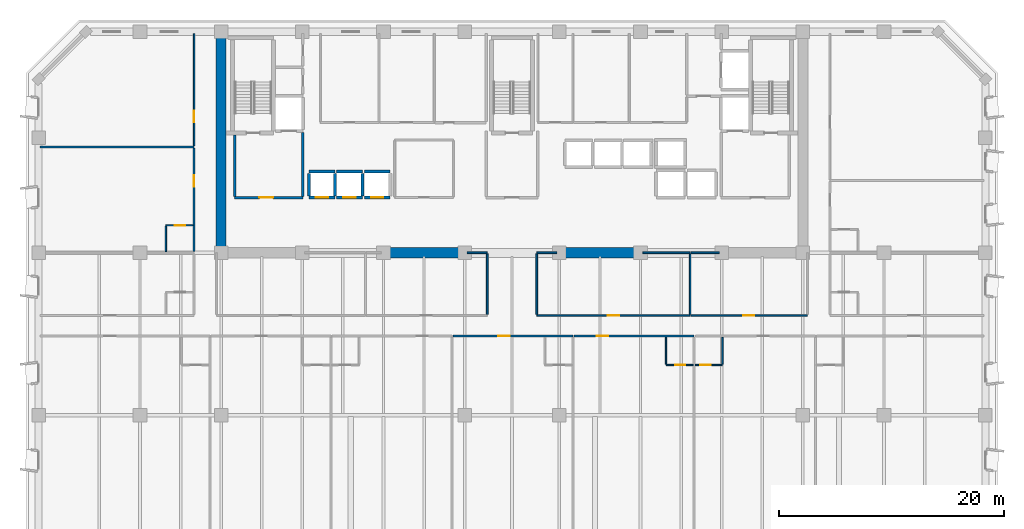
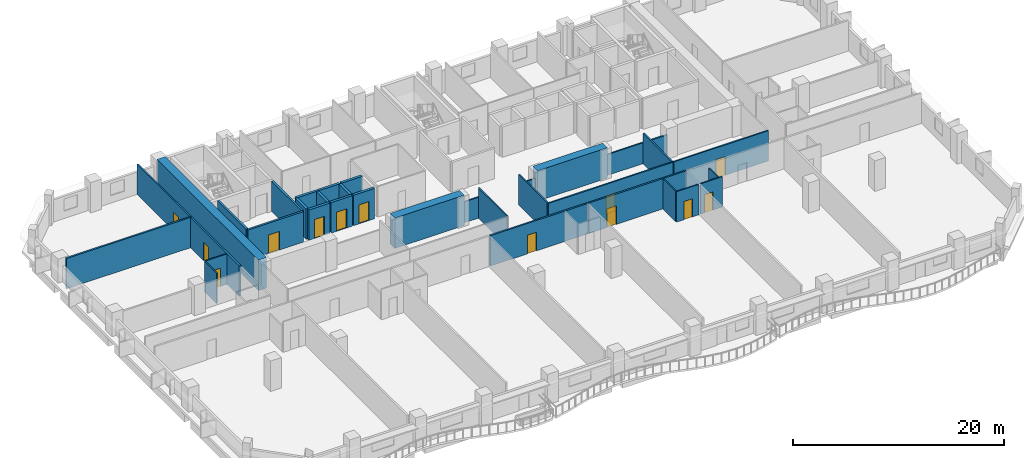
# One storey, part 6 of 15: 35 walls, 13 doors, 13 openings.
"""IFC4 building model written with IfcOpenShell, lengths in metres."""

from ifc_helpers import new_model, si_unit, direction, frame, frame_2d, origin, place, context, subcontext, project, spatial, rectangle, extrude, material, layer, layer_set, type_object, element, fill, save


model = new_model("IFC4")

# Units and contexts
model_context = context("Model", 3, precision=1e-05, world=origin(), true_north=direction((0.0, 1.0)))
body_context = subcontext(model_context, "Body", "Model", "MODEL_VIEW")
ifc_project = project(units=[si_unit("LENGTHUNIT", "METRE"), si_unit("AREAUNIT", "SQUARE_METRE"), si_unit("VOLUMEUNIT", "CUBIC_METRE"), si_unit("PLANEANGLEUNIT", "RADIAN"), si_unit("MASSUNIT", "GRAM", prefix="KILO")], contexts=[model_context])

# Site, building, storey
site_placement = place(None, origin())
site = spatial("IfcSite", under=ifc_project, at=site_placement, CompositionType="ELEMENT")
building_placement = place(site_placement, origin())
building = spatial("IfcBuilding", under=site, at=building_placement, Name="Kaelvorn Grand Hotel", CompositionType="ELEMENT")
storey_placement = place(building_placement, frame((0.0, 0.0, 96.800048828125)))
storey = spatial("IfcBuildingStorey", under=building, at=storey_placement, Name="L22", CompositionType="ELEMENT", Elevation=96.800048828125)

# Walls
ifc_material_1 = material(Name="Concrete C60/75", Category="concrete")
ifc_layer_1 = layer(ifc_material_1, 0.89990234375)
ifc_layer_set_1 = layer_set([ifc_layer_1], Name="Concrete C60/75")
wall_type_1 = type_object("IfcWallType", Name="WL-CORE-900-C60", PredefinedType="SHEAR", material=ifc_layer_set_1)
wall_1_placement = place(storey_placement, frame((16.199951171875, 29.39990234375, 0.0), z_axis=(0.0, 0.0, 1.0), x_axis=(0.0, 1.0, 0.0)))
element("IfcWall", 1, at=wall_1_placement, inside=storey, type_object=wall_type_1, Name="L22 Rear-Core West Shear Wall", PredefinedType="SHEAR", context=body_context, shape_type="SweptSolid", body=[
    extrude(rectangle(XDim=19.2001953125, YDim=0.89990234375, at=frame_2d((9.60009765625, 0.0))), origin(), (0.0, 0.0, 1.0), 3.510009765625),
])
for number, where, z_axis, x_axis, name in (
    (2, (30.39990234375, 29.39990234375, 0.0), (0.0, 0.0, 1.0), (1.0, 0.0, 0.0), "L22 Rear-Core Coupled Shear Pier S2"),
    (3, (46.0, 29.39990234375, 0.0), (0.0, 0.0, 1.0), (1.0, 0.0, 0.0), "L22 Rear-Core Coupled Shear Pier S3"),
):
    element("IfcWall", number, at=place(storey_placement, frame(where, z_axis=z_axis, x_axis=x_axis)), inside=storey, type_object=wall_type_1, Name=name, PredefinedType="SHEAR", context=body_context, shape_type="SweptSolid", body=[
        extrude(rectangle(XDim=7.60009765625, YDim=0.89990234375, at=frame_2d((3.800048828125, 0.0))), origin(), (0.0, 0.0, 1.0), 3.510009765625),
    ])

# Wall, opening, door
ifc_material_2 = material(Name="Moisture-Resistant Tile & Stud Board")
ifc_layer_2 = layer(ifc_material_2, 0.125)
ifc_layer_set_2 = layer_set([ifc_layer_2], Name="Moisture-Resistant Tile & Stud Board")
wall_type_2 = type_object("IfcWallType", Name="WL-PART-125-WET", PredefinedType="PARTITIONING", material=ifc_layer_set_2)
wall_2_placement = place(storey_placement, frame((55.66455078125, 19.449951171875, 0.0), z_axis=(0.0, 0.0, 1.0), x_axis=(1.0, 0.0, 0.0)))
wall_2 = element("IfcWall", 4, at=wall_2_placement, inside=storey, type_object=wall_type_2, Name="L22 En-suite Bathroom L22-05 S Partition", PredefinedType="PARTITIONING", context=body_context, shape_type="SweptSolid", body=[
    extrude(rectangle(XDim=2.405029296875, YDim=0.125, at=frame_2d((1.20263671875, 0.0))), origin(), (0.0, 0.0, 1.0), 3.510009765625),
])
opening_1_placement = place(wall_2_placement, frame((0.800048828125, 0.0, 0.0)))
opening_1 = element("IfcOpeningElement", 5, at=opening_1_placement, cuts=wall_2, Name="Opening DI4", PredefinedType="OPENING", context=body_context, shape_type="SweptSolid", body=[
    extrude(rectangle(XDim=0.89990234375, YDim=2.10009765625, at=frame_2d((0.449951171875, 1.050048828125))), frame((0.0, 0.072509765625, 0.0), z_axis=(0.0, -1.0, 0.0), x_axis=(1.0, 0.0, 0.0)), (0.0, 0.0, 1.0), 0.14501953125),
])
ifc_material_3 = material(Name="Timber Veneer Leaf", Category="wood")
door_type_1 = type_object("IfcDoorType", Name="DR-INT-BATH-900x2100", OperationType="NOTDEFINED", PredefinedType="DOOR", material=ifc_material_3)
door_1_placement = place(opening_1_placement, origin())
door_1 = element("IfcDoor", 6, at=door_1_placement, inside=storey, type_object=door_type_1, Name="L22 En-suite Bathroom L22-05 Door", OperationType="SINGLE_SWING_LEFT", OverallHeight=2.10009765625, OverallWidth=0.89990234375, PredefinedType="DOOR", context=body_context, shape_type="SweptSolid", body=[
    extrude(rectangle(XDim=0.89990234375, YDim=2.10009765625, at=frame_2d((0.449951171875, 1.050048828125))), frame((0.0, 0.02490234375, 0.0), z_axis=(0.0, -1.0, 0.0), x_axis=(1.0, 0.0, 0.0)), (0.0, 0.0, 1.0), 0.050048828125),
])
fill(opening_1, door_1)

# Wall
wall_3_placement = place(storey_placement, frame((55.66455078125, 19.517578125, 0.0), z_axis=(0.0, 0.0, 1.0), x_axis=(0.0, 1.0, 0.0)))
element("IfcWall", 7, at=wall_3_placement, inside=storey, type_object=wall_type_2, Name="L22 En-suite Bathroom L22-05 W Partition", PredefinedType="PARTITIONING", context=body_context, shape_type="SweptSolid", body=[
    extrude(rectangle(XDim=2.387451171875, YDim=0.125, at=frame_2d((1.19384765625, 0.0))), origin(), (0.0, 0.0, 1.0), 3.510009765625),
])

# Wall, opening, door
wall_4_placement = place(storey_placement, frame((58.259521484375, 19.449951171875, 0.0), z_axis=(0.0, 0.0, 1.0), x_axis=(1.0, 0.0, 0.0)))
wall_4 = element("IfcWall", 8, at=wall_4_placement, inside=storey, type_object=wall_type_2, Name="L22 En-suite Bathroom L22-06 S Partition", PredefinedType="PARTITIONING", context=body_context, shape_type="SweptSolid", body=[
    extrude(rectangle(XDim=2.405029296875, YDim=0.125, at=frame_2d((1.20263671875, 0.0))), origin(), (0.0, 0.0, 1.0), 3.510009765625),
])
opening_2_placement = place(wall_4_placement, frame((0.455078125, 0.0, 0.0)))
opening_2 = element("IfcOpeningElement", 9, at=opening_2_placement, cuts=wall_4, Name="Opening DI4", PredefinedType="OPENING", context=body_context, shape_type="SweptSolid", body=[
    extrude(rectangle(XDim=0.89990234375, YDim=2.10009765625, at=frame_2d((0.449951171875, 1.050048828125))), frame((0.0, 0.072509765625, 0.0), z_axis=(0.0, -1.0, 0.0), x_axis=(1.0, 0.0, 0.0)), (0.0, 0.0, 1.0), 0.14501953125),
])
door_2_placement = place(opening_2_placement, origin())
door_2 = element("IfcDoor", 10, at=door_2_placement, inside=storey, type_object=door_type_1, Name="L22 En-suite Bathroom L22-06 Door", OperationType="SINGLE_SWING_LEFT", OverallHeight=2.10009765625, OverallWidth=0.89990234375, PredefinedType="DOOR", context=body_context, shape_type="SweptSolid", body=[
    extrude(rectangle(XDim=0.89990234375, YDim=2.10009765625, at=frame_2d((0.449951171875, 1.050048828125))), frame((0.0, 0.02490234375, 0.0), z_axis=(0.0, -1.0, 0.0), x_axis=(1.0, 0.0, 0.0)), (0.0, 0.0, 1.0), 0.050048828125),
])
fill(opening_2, door_2)

# Wall
wall_5_placement = place(storey_placement, frame((60.66455078125, 19.517578125, 0.0), z_axis=(0.0, 0.0, 1.0), x_axis=(0.0, 1.0, 0.0)))
element("IfcWall", 11, at=wall_5_placement, inside=storey, type_object=wall_type_2, Name="L22 En-suite Bathroom L22-06 E Partition", PredefinedType="PARTITIONING", context=body_context, shape_type="SweptSolid", body=[
    extrude(rectangle(XDim=2.387451171875, YDim=0.125, at=frame_2d((1.19384765625, 0.0))), origin(), (0.0, 0.0, 1.0), 2.976806640625),
])

# Wall, opening, door
wall_6_placement = place(storey_placement, frame((11.300048828125, 31.840087890625, 0.0), z_axis=(0.0, 0.0, 1.0), x_axis=(1.0, 0.0, 0.0)))
wall_6 = element("IfcWall", 12, at=wall_6_placement, inside=storey, type_object=wall_type_2, Name="L22 En-suite Bathroom L22-10 N Partition", PredefinedType="PARTITIONING", context=body_context, shape_type="SweptSolid", body=[
    extrude(rectangle(XDim=2.405029296875, YDim=0.125, at=frame_2d((1.20263671875, 0.0))), origin(), (0.0, 0.0, 1.0), 3.510009765625),
])
opening_3_placement = place(wall_6_placement, frame((0.800048828125, 0.0, 0.0)))
opening_3 = element("IfcOpeningElement", 13, at=opening_3_placement, cuts=wall_6, Name="Opening DI4", PredefinedType="OPENING", context=body_context, shape_type="SweptSolid", body=[
    extrude(rectangle(XDim=0.89990234375, YDim=2.10009765625, at=frame_2d((0.449951171875, 1.050048828125))), frame((0.0, 0.072509765625, 0.0), z_axis=(0.0, -1.0, 0.0), x_axis=(1.0, 0.0, 0.0)), (0.0, 0.0, 1.0), 0.14501953125),
])
door_3_placement = place(opening_3_placement, origin())
door_3 = element("IfcDoor", 14, at=door_3_placement, inside=storey, type_object=door_type_1, Name="L22 En-suite Bathroom L22-10 Door", OperationType="SINGLE_SWING_LEFT", OverallHeight=2.10009765625, OverallWidth=0.89990234375, PredefinedType="DOOR", context=body_context, shape_type="SweptSolid", body=[
    extrude(rectangle(XDim=0.89990234375, YDim=2.10009765625, at=frame_2d((0.449951171875, 1.050048828125))), frame((0.0, 0.02490234375, 0.0), z_axis=(0.0, -1.0, 0.0), x_axis=(1.0, 0.0, 0.0)), (0.0, 0.0, 1.0), 0.050048828125),
])
fill(opening_3, door_3)

# Walls
wall_7_placement = place(storey_placement, frame((11.300048828125, 29.4951171875, 0.0), z_axis=(0.0, 0.0, 1.0), x_axis=(0.0, 1.0, 0.0)))
element("IfcWall", 15, at=wall_7_placement, inside=storey, type_object=wall_type_2, Name="L22 En-suite Bathroom L22-10 W Partition", PredefinedType="PARTITIONING", context=body_context, shape_type="SweptSolid", body=[
    extrude(rectangle(XDim=2.27734375, YDim=0.125, at=frame_2d((1.138671875, 0.0))), origin(), (0.0, 0.0, 1.0), 3.510009765625),
])
ifc_material_4 = material(Name="Acoustic Gypsum & Stud Partition")
ifc_layer_3 = layer(ifc_material_4, 0.14990234375)
ifc_layer_set_3 = layer_set([ifc_layer_3], Name="Acoustic Gypsum & Stud Partition")
wall_type_3 = type_object("IfcWallType", Name="WL-PART-150-EI60", PredefinedType="PARTITIONING", material=ifc_layer_set_3)
wall_8_placement = place(storey_placement, frame((38.010009765625, 29.39990234375, 0.0), z_axis=(0.0, 0.0, 1.0), x_axis=(1.0, 0.0, 0.0)))
element("IfcWall", 16, at=wall_8_placement, inside=storey, type_object=wall_type_3, Name="L22 Private Chef Kitchen N Partition (2)", PredefinedType="PARTITIONING", context=body_context, shape_type="SweptSolid", body=[
    extrude(rectangle(XDim=1.7900390625, YDim=0.14990234375, at=frame_2d((0.89501953125, 0.0))), origin(), (0.0, 0.0, 1.0), 2.409912109375),
])
wall_9_placement = place(storey_placement, frame((39.800048828125, 23.929931640625, 0.0), z_axis=(0.0, 0.0, 1.0), x_axis=(0.0, 1.0, 0.0)))
element("IfcWall", 17, at=wall_9_placement, inside=storey, type_object=wall_type_3, Name="L22 Private Chef Kitchen E Partition", PredefinedType="PARTITIONING", context=body_context, shape_type="SweptSolid", body=[
    extrude(rectangle(XDim=5.39013671875, YDim=0.14990234375, at=frame_2d((2.695068359375, 0.0))), origin(), (0.0, 0.0, 1.0), 3.510009765625),
])

# Wall, opening, door
wall_10_placement = place(storey_placement, frame((44.199951171875, 23.85009765625, 0.0), z_axis=(0.0, 0.0, 1.0), x_axis=(1.0, 0.0, 0.0)))
wall_10 = element("IfcWall", 18, at=wall_10_placement, inside=storey, type_object=wall_type_3, Name="L22 Summit Conference Room S Partition", PredefinedType="PARTITIONING", context=body_context, shape_type="SweptSolid", body=[
    extrude(rectangle(XDim=13.60009765625, YDim=0.14990234375, at=frame_2d((6.800048828125, 0.0))), origin(), (0.0, 0.0, 1.0), 3.510009765625),
])
opening_4_placement = place(wall_10_placement, frame((6.300048828125, 0.0, 0.0)))
opening_4 = element("IfcOpeningElement", 19, at=opening_4_placement, cuts=wall_10, Name="Opening DI3", PredefinedType="OPENING", context=body_context, shape_type="SweptSolid", body=[
    extrude(rectangle(XDim=1.0, YDim=2.14990234375, at=frame_2d((0.5, 1.074951171875))), frame((0.0, 0.0849609375, 0.0), z_axis=(0.0, -1.0, 0.0), x_axis=(1.0, 0.0, 0.0)), (0.0, 0.0, 1.0), 0.169921875),
])
ifc_material_5 = material(Name="Timber Veneer Fire Leaf", Category="wood")
door_type_2 = type_object("IfcDoorType", Name="DR-INT-GUEST-1000x2150", OperationType="NOTDEFINED", PredefinedType="DOOR", material=ifc_material_5)
door_4_placement = place(opening_4_placement, origin())
door_4 = element("IfcDoor", 20, at=door_4_placement, inside=storey, type_object=door_type_2, Name="L22 Summit Conference Room Door", OperationType="SINGLE_SWING_RIGHT", OverallHeight=2.14990234375, OverallWidth=1.0, PredefinedType="DOOR", context=body_context, shape_type="SweptSolid", body=[
    extrude(rectangle(XDim=1.0, YDim=2.14990234375, at=frame_2d((0.5, 1.074951171875))), frame((0.0, 0.02490234375, 0.0), z_axis=(0.0, -1.0, 0.0), x_axis=(1.0, 0.0, 0.0)), (0.0, 0.0, 1.0), 0.050048828125),
])
fill(opening_4, door_4)

# Walls
wall_11_placement = place(storey_placement, frame((44.199951171875, 29.39990234375, 0.0), z_axis=(0.0, 0.0, 1.0), x_axis=(1.0, 0.0, 0.0)))
element("IfcWall", 21, at=wall_11_placement, inside=storey, type_object=wall_type_3, Name="L22 Summit Conference Room N Partition (1)", PredefinedType="PARTITIONING", context=body_context, shape_type="SweptSolid", body=[
    extrude(rectangle(XDim=1.7900390625, YDim=0.14990234375, at=frame_2d((0.89501953125, 0.0))), origin(), (0.0, 0.0, 1.0), 2.409912109375),
])
wall_12_placement = place(storey_placement, frame((53.610107421875, 29.39990234375, 0.0), z_axis=(0.0, 0.0, 1.0), x_axis=(1.0, 0.0, 0.0)))
element("IfcWall", 22, at=wall_12_placement, inside=storey, type_object=wall_type_3, Name="L22 Summit Conference Room N Partition (2)", PredefinedType="PARTITIONING", context=body_context, shape_type="SweptSolid", body=[
    extrude(rectangle(XDim=4.18994140625, YDim=0.14990234375, at=frame_2d((2.094970703125, 0.0))), origin(), (0.0, 0.0, 1.0), 2.409912109375),
])
for number, where, z_axis, x_axis, name in (
    (23, (44.199951171875, 23.929931640625, 0.0), (0.0, 0.0, 1.0), (0.0, 1.0, 0.0), "L22 Summit Conference Room W Partition"),
    (24, (57.800048828125, 23.929931640625, 0.0), (0.0, 0.0, 1.0), (0.0, 1.0, 0.0), "L22 Summit Conference Room E Partition"),
):
    element("IfcWall", number, at=place(storey_placement, frame(where, z_axis=z_axis, x_axis=x_axis)), inside=storey, type_object=wall_type_3, Name=name, PredefinedType="PARTITIONING", context=body_context, shape_type="SweptSolid", body=[
        extrude(rectangle(XDim=5.39013671875, YDim=0.14990234375, at=frame_2d((2.695068359375, 0.0))), origin(), (0.0, 0.0, 1.0), 3.510009765625),
    ])

# Wall, opening, door
wall_13_placement = place(storey_placement, frame((57.8798828125, 23.85009765625, 0.0), z_axis=(0.0, 0.0, 1.0), x_axis=(1.0, 0.0, 0.0)))
wall_13 = element("IfcWall", 25, at=wall_13_placement, inside=storey, type_object=wall_type_3, Name="L22 Executive Law Office S Partition", PredefinedType="PARTITIONING", context=body_context, shape_type="SweptSolid", body=[
    extrude(rectangle(XDim=10.320068359375, YDim=0.14990234375, at=frame_2d((5.16015625, 0.0))), origin(), (0.0, 0.0, 1.0), 3.510009765625),
])
opening_5_placement = place(wall_13_placement, frame((4.6201171875, 0.0, 0.0)))
opening_5 = element("IfcOpeningElement", 26, at=opening_5_placement, cuts=wall_13, Name="Opening DI3", PredefinedType="OPENING", context=body_context, shape_type="SweptSolid", body=[
    extrude(rectangle(XDim=1.0, YDim=2.14990234375, at=frame_2d((0.5, 1.074951171875))), frame((0.0, 0.0849609375, 0.0), z_axis=(0.0, -1.0, 0.0), x_axis=(1.0, 0.0, 0.0)), (0.0, 0.0, 1.0), 0.169921875),
])
door_5_placement = place(opening_5_placement, origin())
door_5 = element("IfcDoor", 27, at=door_5_placement, inside=storey, type_object=door_type_2, Name="L22 Executive Law Office Door", OperationType="SINGLE_SWING_LEFT", OverallHeight=2.14990234375, OverallWidth=1.0, PredefinedType="DOOR", context=body_context, shape_type="SweptSolid", body=[
    extrude(rectangle(XDim=1.0, YDim=2.14990234375, at=frame_2d((0.5, 1.074951171875))), frame((0.0, 0.02490234375, 0.0), z_axis=(0.0, -1.0, 0.0), x_axis=(1.0, 0.0, 0.0)), (0.0, 0.0, 1.0), 0.050048828125),
])
fill(opening_5, door_5)

# Wall
wall_14_placement = place(storey_placement, frame((57.8798828125, 29.39990234375, 0.0), z_axis=(0.0, 0.0, 1.0), x_axis=(1.0, 0.0, 0.0)))
element("IfcWall", 28, at=wall_14_placement, inside=storey, type_object=wall_type_3, Name="L22 Executive Law Office N Partition", PredefinedType="PARTITIONING", context=body_context, shape_type="SweptSolid", body=[
    extrude(rectangle(XDim=2.510009765625, YDim=0.14990234375, at=frame_2d((1.2548828125, 0.0))), origin(), (0.0, 0.0, 1.0), 2.409912109375),
])

# Wall, opening, door
wall_15_placement = place(storey_placement, frame((13.800048828125, 38.89501953125, 0.0), z_axis=(0.0, 0.0, 1.0), x_axis=(0.0, 1.0, 0.0)))
wall_15 = element("IfcWall", 29, at=wall_15_placement, inside=storey, type_object=wall_type_3, Name="L22 North-West Executive Law Office E Partition", PredefinedType="PARTITIONING", context=body_context, shape_type="SweptSolid", body=[
    extrude(rectangle(XDim=9.955078125, YDim=0.14990234375, at=frame_2d((4.9775390625, 0.0))), origin(), (0.0, 0.0, 1.0), 3.510009765625),
])
opening_6_placement = place(wall_15_placement, frame((2.10498046875, 0.0, 0.0)))
opening_6 = element("IfcOpeningElement", 30, at=opening_6_placement, cuts=wall_15, Name="Opening DI3", PredefinedType="OPENING", context=body_context, shape_type="SweptSolid", body=[
    extrude(rectangle(XDim=1.0, YDim=2.14990234375, at=frame_2d((0.5, 1.074951171875))), frame((0.0, 0.0849609375, 0.0), z_axis=(0.0, -1.0, 0.0), x_axis=(1.0, 0.0, 0.0)), (0.0, 0.0, 1.0), 0.169921875),
])
door_6_placement = place(opening_6_placement, origin())
door_6 = element("IfcDoor", 31, at=door_6_placement, inside=storey, type_object=door_type_2, Name="L22 North-West Executive Law Office Door", OperationType="SINGLE_SWING_RIGHT", OverallHeight=2.14990234375, OverallWidth=1.0, PredefinedType="DOOR", context=body_context, shape_type="SweptSolid", body=[
    extrude(rectangle(XDim=1.0, YDim=2.14990234375, at=frame_2d((0.5, 1.074951171875))), frame((0.0, 0.02490234375, 0.0), z_axis=(0.0, -1.0, 0.0), x_axis=(1.0, 0.0, 0.0)), (0.0, 0.0, 1.0), 0.050048828125),
])
fill(opening_6, door_6)

ifc_layer_4 = layer(ifc_material_4, 0.179931640625)
ifc_layer_set_4 = layer_set([ifc_layer_4], Name="Acoustic Gypsum & Stud Partition")
wall_type_4 = type_object("IfcWallType", Name="WL-PART-180-EI60", PredefinedType="PARTITIONING", material=ifc_layer_set_4)
wall_16_placement = place(storey_placement, frame((36.773681640625, 22.0, 0.0), z_axis=(0.0, 0.0, 1.0), x_axis=(1.0, 0.0, 0.0)))
wall_16 = element("IfcWall", 32, at=wall_16_placement, inside=storey, type_object=wall_type_4, Name="L22 Deluxe Panoramic Suite L22-04 N Partition", PredefinedType="PARTITIONING", context=body_context, shape_type="SweptSolid", body=[
    extrude(rectangle(XDim=10.64794921875, YDim=0.179931640625, at=frame_2d((5.323974609375, 0.0))), origin(), (0.0, 0.0, 1.0), 3.510009765625),
])
opening_7_placement = place(wall_16_placement, frame((4.027099609375, 0.0, 0.0)))
opening_7 = element("IfcOpeningElement", 33, at=opening_7_placement, cuts=wall_16, Name="Opening DI3", PredefinedType="OPENING", context=body_context, shape_type="SweptSolid", body=[
    extrude(rectangle(XDim=1.0, YDim=2.14990234375, at=frame_2d((0.5, 1.074951171875))), frame((0.0, 0.10009765625, 0.0), z_axis=(0.0, -1.0, 0.0), x_axis=(1.0, 0.0, 0.0)), (0.0, 0.0, 1.0), 0.199951171875),
])
door_7_placement = place(opening_7_placement, origin())
door_7 = element("IfcDoor", 34, at=door_7_placement, inside=storey, type_object=door_type_2, Name="L22 Deluxe Panoramic Suite L22-04 Door", OperationType="SINGLE_SWING_RIGHT", OverallHeight=2.14990234375, OverallWidth=1.0, PredefinedType="DOOR", context=body_context, shape_type="SweptSolid", body=[
    extrude(rectangle(XDim=1.0, YDim=2.14990234375, at=frame_2d((0.5, 1.074951171875))), frame((0.0, 0.02490234375, 0.0), z_axis=(0.0, -1.0, 0.0), x_axis=(1.0, 0.0, 0.0)), (0.0, 0.0, 1.0), 0.050048828125),
])
fill(opening_7, door_7)

wall_17_placement = place(storey_placement, frame((47.5166015625, 22.0, 0.0), z_axis=(0.0, 0.0, 1.0), x_axis=(1.0, 0.0, 0.0)))
wall_17 = element("IfcWall", 35, at=wall_17_placement, inside=storey, type_object=wall_type_4, Name="L22 Deluxe Panoramic Suite L22-05 N Partition", PredefinedType="PARTITIONING", context=body_context, shape_type="SweptSolid", body=[
    extrude(rectangle(XDim=10.64794921875, YDim=0.179931640625, at=frame_2d((5.323974609375, 0.0))), origin(), (0.0, 0.0, 1.0), 3.510009765625),
])
opening_8_placement = place(wall_17_placement, frame((2.004150390625, 0.0, 0.0)))
opening_8 = element("IfcOpeningElement", 36, at=opening_8_placement, cuts=wall_17, Name="Opening DI3", PredefinedType="OPENING", context=body_context, shape_type="SweptSolid", body=[
    extrude(rectangle(XDim=1.0, YDim=2.14990234375, at=frame_2d((0.5, 1.074951171875))), frame((0.0, 0.10009765625, 0.0), z_axis=(0.0, -1.0, 0.0), x_axis=(1.0, 0.0, 0.0)), (0.0, 0.0, 1.0), 0.199951171875),
])
door_8_placement = place(opening_8_placement, origin())
door_8 = element("IfcDoor", 37, at=door_8_placement, inside=storey, type_object=door_type_2, Name="L22 Deluxe Panoramic Suite L22-05 Door", OperationType="SINGLE_SWING_RIGHT", OverallHeight=2.14990234375, OverallWidth=1.0, PredefinedType="DOOR", context=body_context, shape_type="SweptSolid", body=[
    extrude(rectangle(XDim=1.0, YDim=2.14990234375, at=frame_2d((0.5, 1.074951171875))), frame((0.0, 0.02490234375, 0.0), z_axis=(0.0, -1.0, 0.0), x_axis=(1.0, 0.0, 0.0)), (0.0, 0.0, 1.0), 0.050048828125),
])
fill(opening_8, door_8)

# Wall
wall_18_placement = place(storey_placement, frame((0.14990234375, 38.800048828125, 0.0), z_axis=(0.0, 0.0, 1.0), x_axis=(1.0, 0.0, 0.0)))
element("IfcWall", 38, at=wall_18_placement, inside=storey, type_object=wall_type_4, Name="L22 North-West Wing Suite L22-10 N Partition", PredefinedType="PARTITIONING", context=body_context, shape_type="SweptSolid", body=[
    extrude(rectangle(XDim=13.650146484375, YDim=0.179931640625, at=frame_2d((6.8251953125, 0.0))), origin(), (0.0, 0.0, 1.0), 3.510009765625),
])

# Wall, opening, door
wall_19_placement = place(storey_placement, frame((13.800048828125, 29.4951171875, 0.0), z_axis=(0.0, 0.0, 1.0), x_axis=(0.0, 1.0, 0.0)))
wall_19 = element("IfcWall", 39, at=wall_19_placement, inside=storey, type_object=wall_type_4, Name="L22 North-West Wing Suite L22-10 E Partition", PredefinedType="PARTITIONING", context=body_context, shape_type="SweptSolid", body=[
    extrude(rectangle(XDim=9.2099609375, YDim=0.179931640625, at=frame_2d((4.60498046875, 0.0))), origin(), (0.0, 0.0, 1.0), 3.510009765625),
])
opening_9_placement = place(wall_19_placement, frame((5.77490234375, 0.0, 0.0)))
opening_9 = element("IfcOpeningElement", 40, at=opening_9_placement, cuts=wall_19, Name="Opening DI3", PredefinedType="OPENING", context=body_context, shape_type="SweptSolid", body=[
    extrude(rectangle(XDim=1.0, YDim=2.14990234375, at=frame_2d((0.5, 1.074951171875))), frame((0.0, 0.10009765625, 0.0), z_axis=(0.0, -1.0, 0.0), x_axis=(1.0, 0.0, 0.0)), (0.0, 0.0, 1.0), 0.199951171875),
])
door_9_placement = place(opening_9_placement, origin())
door_9 = element("IfcDoor", 41, at=door_9_placement, inside=storey, type_object=door_type_2, Name="L22 North-West Wing Suite L22-10 Door", OperationType="SINGLE_SWING_RIGHT", OverallHeight=2.14990234375, OverallWidth=1.0, PredefinedType="DOOR", context=body_context, shape_type="SweptSolid", body=[
    extrude(rectangle(XDim=1.0, YDim=2.14990234375, at=frame_2d((0.5, 1.074951171875))), frame((0.0, 0.02490234375, 0.0), z_axis=(0.0, -1.0, 0.0), x_axis=(1.0, 0.0, 0.0)), (0.0, 0.0, 1.0), 0.050048828125),
])
fill(opening_9, door_9)

ifc_material_6 = material(Name="Concrete C40/50", Category="concrete")
ifc_layer_5 = layer(ifc_material_6, 0.219970703125)
ifc_layer_set_5 = layer_set([ifc_layer_5], Name="Concrete C40/50")
wall_type_5 = type_object("IfcWallType", Name="WL-PART-220-EI120", PredefinedType="PARTITIONING", material=ifc_layer_set_5)
wall_20_placement = place(storey_placement, frame((17.39990234375, 34.300048828125, 0.0), z_axis=(0.0, 0.0, 1.0), x_axis=(1.0, 0.0, 0.0)))
wall_20 = element("IfcWall", 42, at=wall_20_placement, inside=storey, type_object=wall_type_5, Name="L22 Firefighting Lift Lobby 1 S Partition", PredefinedType="PARTITIONING", context=body_context, shape_type="SweptSolid", body=[
    extrude(rectangle(XDim=6.050048828125, YDim=0.219970703125, at=frame_2d((3.02490234375, 0.0))), origin(), (0.0, 0.0, 1.0), 3.510009765625),
])
opening_10_placement = place(wall_20_placement, frame((2.199951171875, 0.0, 0.0)))
opening_10 = element("IfcOpeningElement", 43, at=opening_10_placement, cuts=wall_20, Name="Opening DI2", PredefinedType="OPENING", context=body_context, shape_type="SweptSolid", body=[
    extrude(rectangle(XDim=1.199951171875, YDim=2.14990234375, at=frame_2d((0.60009765625, 1.074951171875))), frame((0.0, 0.1201171875, 0.0), z_axis=(0.0, -1.0, 0.0), x_axis=(1.0, 0.0, 0.0)), (0.0, 0.0, 1.0), 0.239990234375),
])
door_type_3 = type_object("IfcDoorType", Name="DR-INT-FFLOB-1200x2150", OperationType="NOTDEFINED", PredefinedType="DOOR", material=ifc_material_5)
door_10_placement = place(opening_10_placement, origin())
door_10 = element("IfcDoor", 44, at=door_10_placement, inside=storey, type_object=door_type_3, Name="L22 Firefighting Lift Lobby 1 Door", OperationType="SINGLE_SWING_LEFT", OverallHeight=2.14990234375, OverallWidth=1.199951171875, PredefinedType="DOOR", context=body_context, shape_type="SweptSolid", body=[
    extrude(rectangle(XDim=1.199951171875, YDim=2.14990234375, at=frame_2d((0.60009765625, 1.074951171875))), frame((0.0, 0.02490234375, 0.0), z_axis=(0.0, -1.0, 0.0), x_axis=(1.0, 0.0, 0.0)), (0.0, 0.0, 1.0), 0.050048828125),
])
fill(opening_10, door_10)

# Walls
wall_21_placement = place(storey_placement, frame((17.39990234375, 34.4150390625, 0.0), z_axis=(0.0, 0.0, 1.0), x_axis=(0.0, 1.0, 0.0)))
element("IfcWall", 45, at=wall_21_placement, inside=storey, type_object=wall_type_5, Name="L22 Firefighting Lift Lobby 1 W Partition", PredefinedType="PARTITIONING", context=body_context, shape_type="SweptSolid", body=[
    extrude(rectangle(XDim=5.429931640625, YDim=0.219970703125, at=frame_2d((2.71484375, 0.0))), origin(), (0.0, 0.0, 1.0), 3.510009765625),
])
wall_22_placement = place(storey_placement, frame((23.449951171875, 34.4150390625, 0.0), z_axis=(0.0, 0.0, 1.0), x_axis=(0.0, 1.0, 0.0)))
element("IfcWall", 46, at=wall_22_placement, inside=storey, type_object=wall_type_5, Name="L22 Firefighting Lift Lobby 1 E Partition", PredefinedType="PARTITIONING", context=body_context, shape_type="SweptSolid", body=[
    extrude(rectangle(XDim=5.639892578125, YDim=0.219970703125, at=frame_2d((2.81982421875, 0.0))), origin(), (0.0, 0.0, 1.0), 3.510009765625),
])

# Wall, opening, door
ifc_material_7 = material(Name="Concrete C50/60", Category="concrete")
ifc_layer_6 = layer(ifc_material_7, 0.280029296875)
ifc_layer_set_6 = layer_set([ifc_layer_6], Name="Concrete C50/60")
wall_type_6 = type_object("IfcWallType", Name="WL-SHAFT-280-C50", PredefinedType="SHEAR", material=ifc_layer_set_6)
wall_23_placement = place(storey_placement, frame((24.0, 34.300048828125, 0.0), z_axis=(0.0, 0.0, 1.0), x_axis=(1.0, 0.0, 0.0)))
wall_23 = element("IfcWall", 47, at=wall_23_placement, inside=storey, type_object=wall_type_6, Name="L22 Lift PL-L1 Shaft South Wall", PredefinedType="SHEAR", context=body_context, shape_type="SweptSolid", body=[
    extrude(rectangle(XDim=2.300048828125, YDim=0.280029296875, at=frame_2d((1.14990234375, 0.0))), origin(), (0.0, 0.0, 1.0), 3.510009765625),
])
opening_11_placement = place(wall_23_placement, frame((0.60009765625, 0.0, 0.0)))
opening_11 = element("IfcOpeningElement", 48, at=opening_11_placement, cuts=wall_23, Name="Opening LD-PL-L1", PredefinedType="OPENING", context=body_context, shape_type="SweptSolid", body=[
    extrude(rectangle(XDim=1.10009765625, YDim=2.199951171875, at=frame_2d((0.550048828125, 1.10009765625))), frame((0.0, 0.14990234375, 0.0), z_axis=(0.0, -1.0, 0.0), x_axis=(1.0, 0.0, 0.0)), (0.0, 0.0, 1.0), 0.300048828125),
])
ifc_material_8 = material(Name="Stainless Steel", Category="steel")
door_type_4 = type_object("IfcDoorType", Name="DR-LIFT-PASS-1100x2200", OperationType="DOUBLE_DOOR_SLIDING", PredefinedType="DOOR", material=ifc_material_8)
door_11_placement = place(opening_11_placement, origin())
door_11 = element("IfcDoor", 49, at=door_11_placement, inside=storey, type_object=door_type_4, Name="L22 Lift PL-L1 Sliding Landing Door LD-PL-L1", OperationType="DOUBLE_DOOR_SLIDING", OverallHeight=2.199951171875, OverallWidth=1.10009765625, PredefinedType="DOOR", context=body_context, shape_type="SweptSolid", body=[
    extrude(rectangle(XDim=1.10009765625, YDim=2.199951171875, at=frame_2d((0.550048828125, 1.10009765625))), frame((0.0, 0.02490234375, 0.0), z_axis=(0.0, -1.0, 0.0), x_axis=(1.0, 0.0, 0.0)), (0.0, 0.0, 1.0), 0.050048828125),
])
fill(opening_11, door_11)

# Walls
wall_24_placement = place(storey_placement, frame((24.0, 36.60009765625, 0.0), z_axis=(0.0, 0.0, 1.0), x_axis=(1.0, 0.0, 0.0)))
element("IfcWall", 50, at=wall_24_placement, inside=storey, type_object=wall_type_6, Name="L22 Lift PL-L1 Shaft North Wall", PredefinedType="SHEAR", context=body_context, shape_type="SweptSolid", body=[
    extrude(rectangle(XDim=2.300048828125, YDim=0.280029296875, at=frame_2d((1.14990234375, 0.0))), origin(), (0.0, 0.0, 1.0), 3.510009765625),
])
for number, where, z_axis, x_axis, name in (
    (51, (24.0, 34.445068359375, 0.0), (0.0, 0.0, 1.0), (0.0, 1.0, 0.0), "L22 Lift PL-L1 Shaft West Wall"),
    (52, (26.300048828125, 34.445068359375, 0.0), (0.0, 0.0, 1.0), (0.0, 1.0, 0.0), "L22 Lift PL-L1 Shaft East Wall"),
):
    element("IfcWall", number, at=place(storey_placement, frame(where, z_axis=z_axis, x_axis=x_axis)), inside=storey, type_object=wall_type_6, Name=name, PredefinedType="SHEAR", context=body_context, shape_type="SweptSolid", body=[
        extrude(rectangle(XDim=2.010009765625, YDim=0.280029296875, at=frame_2d((1.0048828125, 0.0))), origin(), (0.0, 0.0, 1.0), 3.510009765625),
    ])

# Wall, opening, door
wall_25_placement = place(storey_placement, frame((26.449951171875, 34.300048828125, 0.0), z_axis=(0.0, 0.0, 1.0), x_axis=(1.0, 0.0, 0.0)))
wall_25 = element("IfcWall", 53, at=wall_25_placement, inside=storey, type_object=wall_type_6, Name="L22 Lift PL-L2 Shaft South Wall", PredefinedType="SHEAR", context=body_context, shape_type="SweptSolid", body=[
    extrude(rectangle(XDim=2.300048828125, YDim=0.280029296875, at=frame_2d((1.14990234375, 0.0))), origin(), (0.0, 0.0, 1.0), 3.510009765625),
])
opening_12_placement = place(wall_25_placement, frame((0.60009765625, 0.0, 0.0)))
opening_12 = element("IfcOpeningElement", 54, at=opening_12_placement, cuts=wall_25, Name="Opening LD-PL-L2", PredefinedType="OPENING", context=body_context, shape_type="SweptSolid", body=[
    extrude(rectangle(XDim=1.10009765625, YDim=2.199951171875, at=frame_2d((0.550048828125, 1.10009765625))), frame((0.0, 0.14990234375, 0.0), z_axis=(0.0, -1.0, 0.0), x_axis=(1.0, 0.0, 0.0)), (0.0, 0.0, 1.0), 0.300048828125),
])
door_12_placement = place(opening_12_placement, origin())
door_12 = element("IfcDoor", 55, at=door_12_placement, inside=storey, type_object=door_type_4, Name="L22 Lift PL-L2 Sliding Landing Door LD-PL-L2", OperationType="DOUBLE_DOOR_SLIDING", OverallHeight=2.199951171875, OverallWidth=1.10009765625, PredefinedType="DOOR", context=body_context, shape_type="SweptSolid", body=[
    extrude(rectangle(XDim=1.10009765625, YDim=2.199951171875, at=frame_2d((0.550048828125, 1.10009765625))), frame((0.0, 0.02490234375, 0.0), z_axis=(0.0, -1.0, 0.0), x_axis=(1.0, 0.0, 0.0)), (0.0, 0.0, 1.0), 0.050048828125),
])
fill(opening_12, door_12)

# Walls
wall_26_placement = place(storey_placement, frame((26.449951171875, 36.60009765625, 0.0), z_axis=(0.0, 0.0, 1.0), x_axis=(1.0, 0.0, 0.0)))
element("IfcWall", 56, at=wall_26_placement, inside=storey, type_object=wall_type_6, Name="L22 Lift PL-L2 Shaft North Wall", PredefinedType="SHEAR", context=body_context, shape_type="SweptSolid", body=[
    extrude(rectangle(XDim=2.300048828125, YDim=0.280029296875, at=frame_2d((1.14990234375, 0.0))), origin(), (0.0, 0.0, 1.0), 3.510009765625),
])
wall_27_placement = place(storey_placement, frame((28.75, 34.445068359375, 0.0), z_axis=(0.0, 0.0, 1.0), x_axis=(0.0, 1.0, 0.0)))
element("IfcWall", 57, at=wall_27_placement, inside=storey, type_object=wall_type_6, Name="L22 Lift PL-L2 Shaft East Wall", PredefinedType="SHEAR", context=body_context, shape_type="SweptSolid", body=[
    extrude(rectangle(XDim=2.010009765625, YDim=0.280029296875, at=frame_2d((1.0048828125, 0.0))), origin(), (0.0, 0.0, 1.0), 3.510009765625),
])

# Wall, opening, door
wall_28_placement = place(storey_placement, frame((28.89990234375, 34.300048828125, 0.0), z_axis=(0.0, 0.0, 1.0), x_axis=(1.0, 0.0, 0.0)))
wall_28 = element("IfcWall", 58, at=wall_28_placement, inside=storey, type_object=wall_type_6, Name="L22 Lift PL-L3 Shaft South Wall", PredefinedType="SHEAR", context=body_context, shape_type="SweptSolid", body=[
    extrude(rectangle(XDim=2.300048828125, YDim=0.280029296875, at=frame_2d((1.14990234375, 0.0))), origin(), (0.0, 0.0, 1.0), 3.510009765625),
])
opening_13_placement = place(wall_28_placement, frame((0.60009765625, 0.0, 0.0)))
opening_13 = element("IfcOpeningElement", 59, at=opening_13_placement, cuts=wall_28, Name="Opening LD-PL-L3", PredefinedType="OPENING", context=body_context, shape_type="SweptSolid", body=[
    extrude(rectangle(XDim=1.10009765625, YDim=2.199951171875, at=frame_2d((0.550048828125, 1.10009765625))), frame((0.0, 0.14990234375, 0.0), z_axis=(0.0, -1.0, 0.0), x_axis=(1.0, 0.0, 0.0)), (0.0, 0.0, 1.0), 0.300048828125),
])
door_13_placement = place(opening_13_placement, origin())
door_13 = element("IfcDoor", 60, at=door_13_placement, inside=storey, type_object=door_type_4, Name="L22 Lift PL-L3 Sliding Landing Door LD-PL-L3", OperationType="DOUBLE_DOOR_SLIDING", OverallHeight=2.199951171875, OverallWidth=1.10009765625, PredefinedType="DOOR", context=body_context, shape_type="SweptSolid", body=[
    extrude(rectangle(XDim=1.10009765625, YDim=2.199951171875, at=frame_2d((0.550048828125, 1.10009765625))), frame((0.0, 0.02490234375, 0.0), z_axis=(0.0, -1.0, 0.0), x_axis=(1.0, 0.0, 0.0)), (0.0, 0.0, 1.0), 0.050048828125),
])
fill(opening_13, door_13)

# Wall
wall_29_placement = place(storey_placement, frame((28.89990234375, 36.60009765625, 0.0), z_axis=(0.0, 0.0, 1.0), x_axis=(1.0, 0.0, 0.0)))
element("IfcWall", 61, at=wall_29_placement, inside=storey, type_object=wall_type_6, Name="L22 Lift PL-L3 Shaft North Wall", PredefinedType="SHEAR", context=body_context, shape_type="SweptSolid", body=[
    extrude(rectangle(XDim=2.300048828125, YDim=0.280029296875, at=frame_2d((1.14990234375, 0.0))), origin(), (0.0, 0.0, 1.0), 3.510009765625),
])

save(model, "model.ifc")
